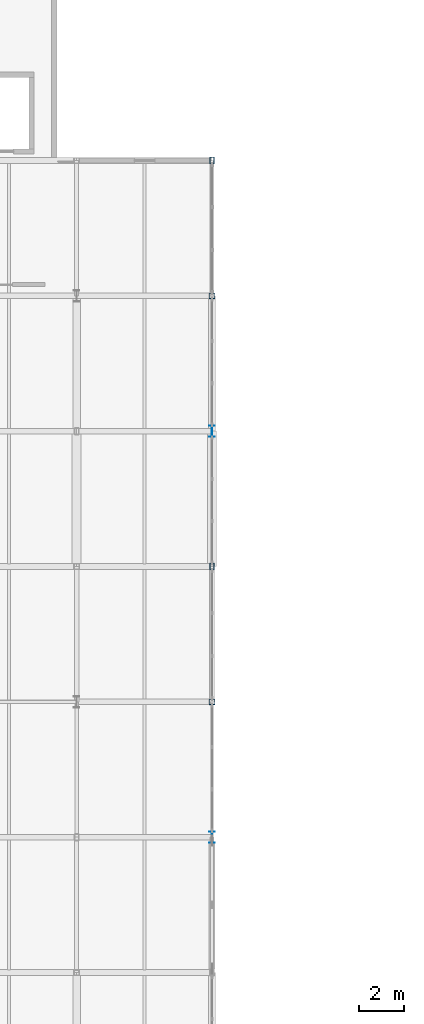
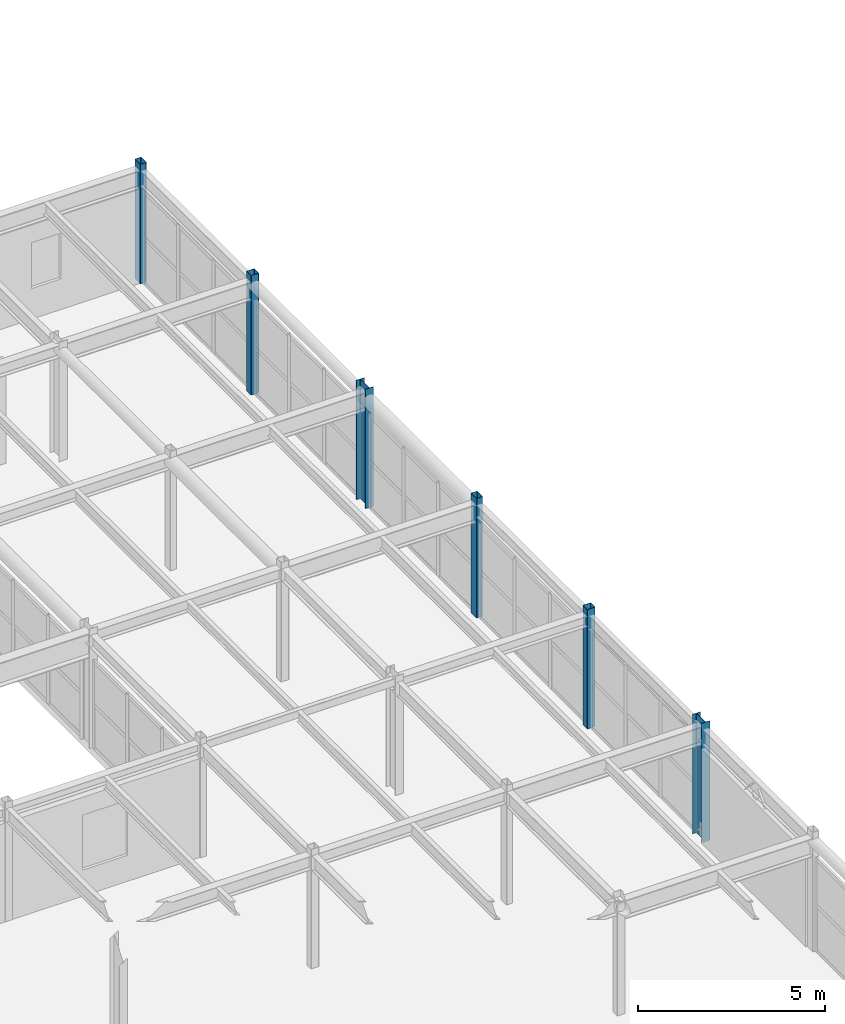
# One storey, part 4 of 63: 6 columns.
"""IFC4 building model written with IfcOpenShell, lengths in metres."""

from ifc_helpers import new_model, si_unit, direction, frame, origin, origin_2d, place, context, subcontext, project, spatial, hollow_rectangle, i_section, extrude, material, material_profile, profile_set, type_object, element, save


model = new_model("IFC4")

# Units and contexts
model_context = context("Model", 3, precision=1e-05, world=origin(), true_north=direction((0.0, 1.0)))
body_context = subcontext(model_context, "Body", "Model", "MODEL_VIEW")
ifc_project = project(units=[si_unit("LENGTHUNIT", "METRE"), si_unit("AREAUNIT", "SQUARE_METRE"), si_unit("VOLUMEUNIT", "CUBIC_METRE"), si_unit("PLANEANGLEUNIT", "RADIAN"), si_unit("MASSUNIT", "GRAM", prefix="KILO")], contexts=[model_context])

# Site, building, storey
site_placement = place(None, origin())
site = spatial("IfcSite", under=ifc_project, at=site_placement, CompositionType="ELEMENT")
building_placement = place(site_placement, origin())
building = spatial("IfcBuilding", under=site, at=building_placement, Name="Varnakota Square Police Headquarters", CompositionType="ELEMENT")
storey_placement = place(building_placement, frame((0.0, 0.0, 22.199951171875)))
storey = spatial("IfcBuildingStorey", under=building, at=storey_placement, Name="L05", CompositionType="ELEMENT", Elevation=22.199951171875)

# Columns
ifc_material = material(Name="Steel IS 2062 Grade 350", Category="steel")
ifc_material_profile_1 = material_profile(ifc_material, i_section(OverallWidth=0.25, OverallDepth=0.5, WebThickness=0.010009765625, FlangeThickness=0.0146484375, FilletRadius=0.014892578125, at=origin_2d()), Name="ISWB 500")
ifc_profile_set_1 = profile_set([ifc_material_profile_1], Name="Steel IS 2062 Grade 350")
column_type_1 = type_object("IfcColumnType", Name="COL-ISWB500", PredefinedType="COLUMN", material=ifc_profile_set_1)
for number, where, z_axis, x_axis, name in (
    (1, (42.0, 33.0, 0.0), (0.0, 0.0, 1.0), (1.0, 0.0, 0.0), "Column X0420-Y0330 L05"),
    (2, (42.0, 51.0, 0.0), (0.0, 0.0, 1.0), (1.0, 0.0, 0.0), "Column X0420-Y0510 L05"),
):
    element("IfcColumn", number, at=place(storey_placement, frame(where, z_axis=z_axis, x_axis=x_axis)), inside=storey, type_object=column_type_1, Name=name, PredefinedType="COLUMN", context=body_context, shape_type="SweptSolid", body=[
        extrude(i_section(OverallWidth=0.25, OverallDepth=0.5, WebThickness=0.010009765625, FlangeThickness=0.0146484375, FilletRadius=0.014892578125, at=origin_2d()), origin(), (0.0, 0.0, 1.0), 3.900146484375),
    ])
ifc_material_profile_2 = material_profile(ifc_material, hollow_rectangle(XDim=0.199951171875, YDim=0.300048828125, WallThickness=0.011962890625, InnerFilletRadius=0.011962890625, OuterFilletRadius=0.02392578125, at=origin_2d()), Name="RHS 300x200x12")
ifc_profile_set_2 = profile_set([ifc_material_profile_2], Name="Steel IS 2062 Grade 350")
column_type_2 = type_object("IfcColumnType", Name="COL-RHS300", PredefinedType="COLUMN", material=ifc_profile_set_2)
for number, where, z_axis, x_axis, name in (
    (3, (42.0, 45.0, 0.0), (0.0, 0.0, 1.0), (1.0, 0.0, 0.0), "Column X0420-Y0450 L05"),
    (4, (42.0, 63.0, 0.0), (0.0, 0.0, 1.0), (1.0, 0.0, 0.0), "Column X0420-Y0630 L05"),
):
    element("IfcColumn", number, at=place(storey_placement, frame(where, z_axis=z_axis, x_axis=x_axis)), inside=storey, type_object=column_type_2, Name=name, PredefinedType="COLUMN", context=body_context, shape_type="SweptSolid", body=[
        extrude(hollow_rectangle(XDim=0.199951171875, YDim=0.300048828125, WallThickness=0.011962890625, InnerFilletRadius=0.011962890625, OuterFilletRadius=0.02392578125, at=origin_2d()), origin(), (0.0, 0.0, 1.0), 3.900146484375),
    ])
ifc_material_profile_3 = material_profile(ifc_material, hollow_rectangle(XDim=0.25, YDim=0.25, WallThickness=0.011962890625, InnerFilletRadius=0.011962890625, OuterFilletRadius=0.02392578125, at=origin_2d()), Name="SHS 250x250x12")
ifc_profile_set_3 = profile_set([ifc_material_profile_3], Name="Steel IS 2062 Grade 350")
column_type_3 = type_object("IfcColumnType", Name="COL-SHS250", PredefinedType="COLUMN", material=ifc_profile_set_3)
for number, where, z_axis, x_axis, name in (
    (5, (42.0, 39.0, 0.0), (0.0, 0.0, 1.0), (1.0, 0.0, 0.0), "Column X0420-Y0390 L05"),
    (6, (42.0, 57.0, 0.0), (0.0, 0.0, 1.0), (1.0, 0.0, 0.0), "Column X0420-Y0570 L05"),
):
    element("IfcColumn", number, at=place(storey_placement, frame(where, z_axis=z_axis, x_axis=x_axis)), inside=storey, type_object=column_type_3, Name=name, PredefinedType="COLUMN", context=body_context, shape_type="SweptSolid", body=[
        extrude(hollow_rectangle(XDim=0.25, YDim=0.25, WallThickness=0.011962890625, InnerFilletRadius=0.011962890625, OuterFilletRadius=0.02392578125, at=origin_2d()), origin(), (0.0, 0.0, 1.0), 3.900146484375),
    ])

save(model, "model.ifc")
